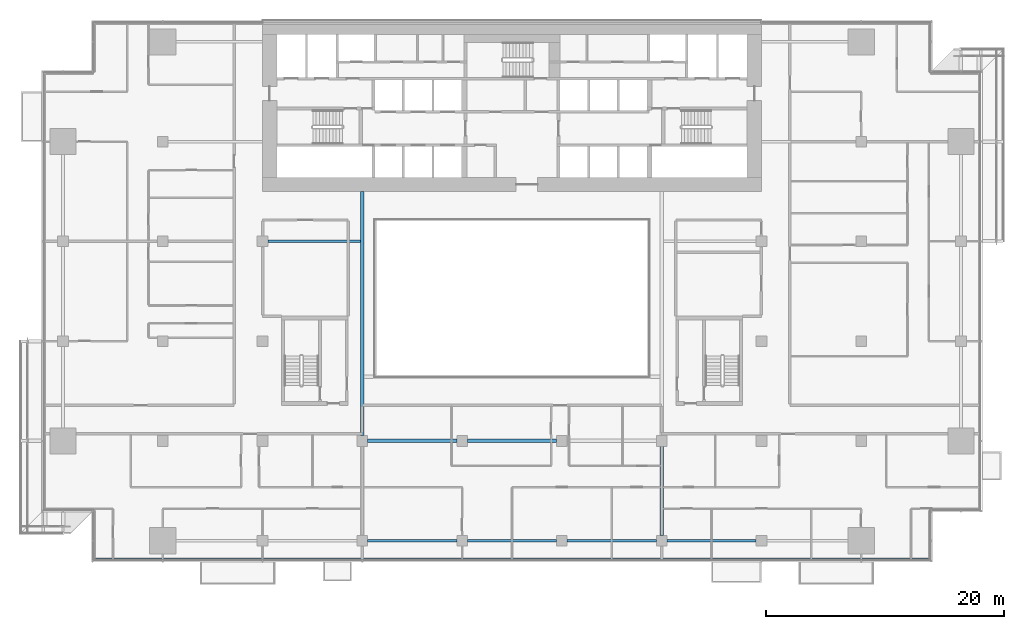
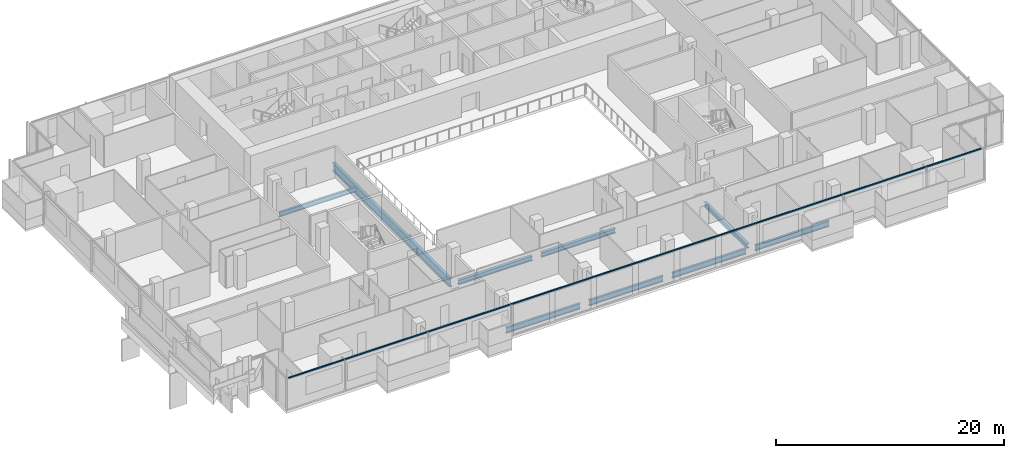
# One storey, part 5 of 29: 9 beams, 1 member, 1 element without a shape of its own.
"""IFC4 building model written with IfcOpenShell, lengths in metres."""

from ifc_helpers import new_model, si_unit, direction, frame, origin, origin_2d, place, context, subcontext, project, spatial, rectangle, i_section, extrude, material, material_profile, profile_set, type_object, element, aggregate, save


model = new_model("IFC4")

# Units and contexts
model_context = context("Model", 3, precision=1e-05, world=origin(), true_north=direction((0.0, 1.0)))
body_context = subcontext(model_context, "Body", "Model", "MODEL_VIEW")
ifc_project = project(units=[si_unit("LENGTHUNIT", "METRE"), si_unit("AREAUNIT", "SQUARE_METRE"), si_unit("VOLUMEUNIT", "CUBIC_METRE"), si_unit("PLANEANGLEUNIT", "RADIAN"), si_unit("MASSUNIT", "GRAM", prefix="KILO")], contexts=[model_context])

# Site, building, storey
site_placement = place(None, origin())
site = spatial("IfcSite", under=ifc_project, at=site_placement, CompositionType="ELEMENT")
building_placement = place(site_placement, origin())
building = spatial("IfcBuilding", under=site, at=building_placement, Name="Saffron Gate Tower", CompositionType="ELEMENT")
storey_placement = place(building_placement, frame((0.0, 0.0, 55.199951171875)))
storey = spatial("IfcBuildingStorey", under=building, at=storey_placement, Name="L12", CompositionType="ELEMENT", Elevation=55.199951171875)

# Beams
ifc_material_1 = material(Name="Structural steel S355", Category="steel")
ifc_material_profile_1 = material_profile(ifc_material_1, i_section(OverallWidth=0.199951171875, OverallDepth=0.5, WebThickness=0.01025390625, FlangeThickness=0.01611328125, FilletRadius=0.02099609375, at=origin_2d()))
ifc_profile_set_1 = profile_set([ifc_material_profile_1], Name="Structural steel S355")
beam_type_1 = type_object("IfcBeamType", Name="B10 IPE 500", PredefinedType="BEAM", material=ifc_profile_set_1)
beam_1_placement = place(storey_placement, frame((67.050048828125, 57.0, -0.530029296875), z_axis=(1.0, 0.0, 0.0), x_axis=(0.0, 1.0, 0.0)))
element("IfcBeam", 1, at=beam_1_placement, inside=storey, type_object=beam_type_1, Name="B10 CORE TIE BEAM", PredefinedType="BEAM", context=body_context, shape_type="SweptSolid", body=[
    extrude(i_section(OverallWidth=0.199951171875, OverallDepth=0.5, WebThickness=0.01025390625, FlangeThickness=0.01611328125, FilletRadius=0.02099609375, at=origin_2d()), origin(), (0.0, 0.0, 1.0), 7.800048828125),
])
ifc_material_profile_2 = material_profile(ifc_material_1, i_section(OverallWidth=0.219970703125, OverallDepth=0.60009765625, WebThickness=0.011962890625, FlangeThickness=0.01904296875, FilletRadius=0.02392578125, at=origin_2d()))
ifc_profile_set_2 = profile_set([ifc_material_profile_2], Name="Structural steel S355")
beam_type_2 = type_object("IfcBeamType", Name="B16 IPE 600", PredefinedType="SPANDREL", material=ifc_profile_set_2)
for number, where, z_axis, x_axis, name in (
    (2, (75.449951171875, 31.800048828125, -0.579833984375), (1.0, 0.0, 0.0), (0.0, 1.0, 0.0), "B16 SPANDREL BEAM"),
    (3, (83.85009765625, 31.800048828125, -0.579833984375), (1.0, 0.0, 0.0), (0.0, 1.0, 0.0), "B16 SPANDREL BEAM"),
    (4, (92.25, 31.800048828125, -0.579833984375), (1.0, 0.0, 0.0), (0.0, 1.0, 0.0), "B16 SPANDREL BEAM"),
    (5, (100.64990234375, 31.800048828125, -0.579833984375), (1.0, 0.0, 0.0), (0.0, 1.0, 0.0), "B16 SPANDREL BEAM"),
):
    element("IfcBeam", number, at=place(storey_placement, frame(where, z_axis=z_axis, x_axis=x_axis)), inside=storey, type_object=beam_type_2, Name=name, PredefinedType="SPANDREL", context=body_context, shape_type="SweptSolid", body=[
        extrude(i_section(OverallWidth=0.219970703125, OverallDepth=0.60009765625, WebThickness=0.011962890625, FlangeThickness=0.01904296875, FilletRadius=0.02392578125, at=origin_2d()), origin(), (0.0, 0.0, 1.0), 7.5),
    ])
ifc_material_profile_3 = material_profile(ifc_material_1, i_section(OverallWidth=0.300048828125, OverallDepth=0.889892578125, WebThickness=0.01611328125, FlangeThickness=0.030029296875, FilletRadius=0.030029296875, at=origin_2d()))
ifc_profile_set_3 = profile_set([ifc_material_profile_3], Name="Structural steel S355")
beam_type_3 = type_object("IfcBeamType", Name="B19 HEA 900", PredefinedType="BEAM", material=ifc_profile_set_3)
beam_2_placement = place(storey_placement, frame((75.0, 40.64990234375, -0.724853515625), z_axis=(0.0, 1.0, 0.0), x_axis=(-1.0, 0.0, 0.0)))
element("IfcBeam", 6, at=beam_2_placement, inside=storey, type_object=beam_type_3, Name="B19 ATRIUM GIRDER", PredefinedType="BEAM", context=body_context, shape_type="SweptSolid", body=[
    extrude(i_section(OverallWidth=0.300048828125, OverallDepth=0.889892578125, WebThickness=0.01611328125, FlangeThickness=0.030029296875, FilletRadius=0.030029296875, at=origin_2d()), origin(), (0.0, 0.0, 1.0), 20.550048828125),
])
ifc_material_profile_4 = material_profile(ifc_material_1, i_section(OverallWidth=0.300048828125, OverallDepth=0.489990234375, WebThickness=0.011962890625, FlangeThickness=0.02294921875, FilletRadius=0.027099609375, at=origin_2d()))
ifc_profile_set_4 = profile_set([ifc_material_profile_4], Name="Structural steel S355")
beam_type_4 = type_object("IfcBeamType", Name="B8 HEA 500", PredefinedType="BEAM", material=ifc_profile_set_4)
for number, where, z_axis, x_axis, name in (
    (7, (100.199951171875, 32.25, -0.52490234375), (0.0, 1.0, 0.0), (-1.0, 0.0, 0.0), "B8 FLOOR GIRDER"),
    (8, (75.449951171875, 40.199951171875, -0.52490234375), (1.0, 0.0, 0.0), (0.0, 1.0, 0.0), "B8 FLOOR GIRDER"),
    (9, (83.85009765625, 40.199951171875, -0.52490234375), (1.0, 0.0, 0.0), (0.0, 1.0, 0.0), "B8 FLOOR GIRDER"),
):
    element("IfcBeam", number, at=place(storey_placement, frame(where, z_axis=z_axis, x_axis=x_axis)), inside=storey, type_object=beam_type_4, Name=name, PredefinedType="BEAM", context=body_context, shape_type="SweptSolid", body=[
        extrude(i_section(OverallWidth=0.300048828125, OverallDepth=0.489990234375, WebThickness=0.011962890625, FlangeThickness=0.02294921875, FilletRadius=0.027099609375, at=origin_2d()), origin(), (0.0, 0.0, 1.0), 7.5),
    ])

# Curtain wall, member
ifc_material_2 = material(Name="Aluminium, bronze anodised", Category="aluminium")
curtain_wall_type = type_object("IfcCurtainWallType", Name="CWS1 curtain wall front facade", PredefinedType="NOTDEFINED", material=ifc_material_2)
curtain_wall_placement = place(storey_placement, origin())
curtain_wall = element("IfcCurtainWall", 10, at=curtain_wall_placement, inside=storey, type_object=curtain_wall_type, Name="CWS1 run 1", PredefinedType="NOTDEFINED")
ifc_material_profile_5 = material_profile(ifc_material_2, rectangle(XDim=0.1201171875, YDim=0.1201171875, at=origin_2d()))
ifc_profile_set_5 = profile_set([ifc_material_profile_5], Name="Aluminium, bronze anodised")
member_type = type_object("IfcMemberType", Name="CWS1 head transom", PredefinedType="USERDEFINED", material=ifc_profile_set_5)
member_placement = place(storey_placement, frame((52.568115234375, 30.248046875, 3.260009765625), z_axis=(1.0, 0.0, 0.0), x_axis=(0.0, 1.0, 0.0)))
member = element("IfcMember", 11, at=member_placement, type_object=member_type, Name="CWS1 head transom", ObjectType="TRANSOM", PredefinedType="USERDEFINED", context=body_context, shape_type="SweptSolid", body=[
    extrude(rectangle(XDim=0.1201171875, YDim=0.1201171875, at=origin_2d()), origin(), (0.0, 0.0, 1.0), 70.06396484375),
])
aggregate(curtain_wall, [member])

save(model, "model.ifc")
